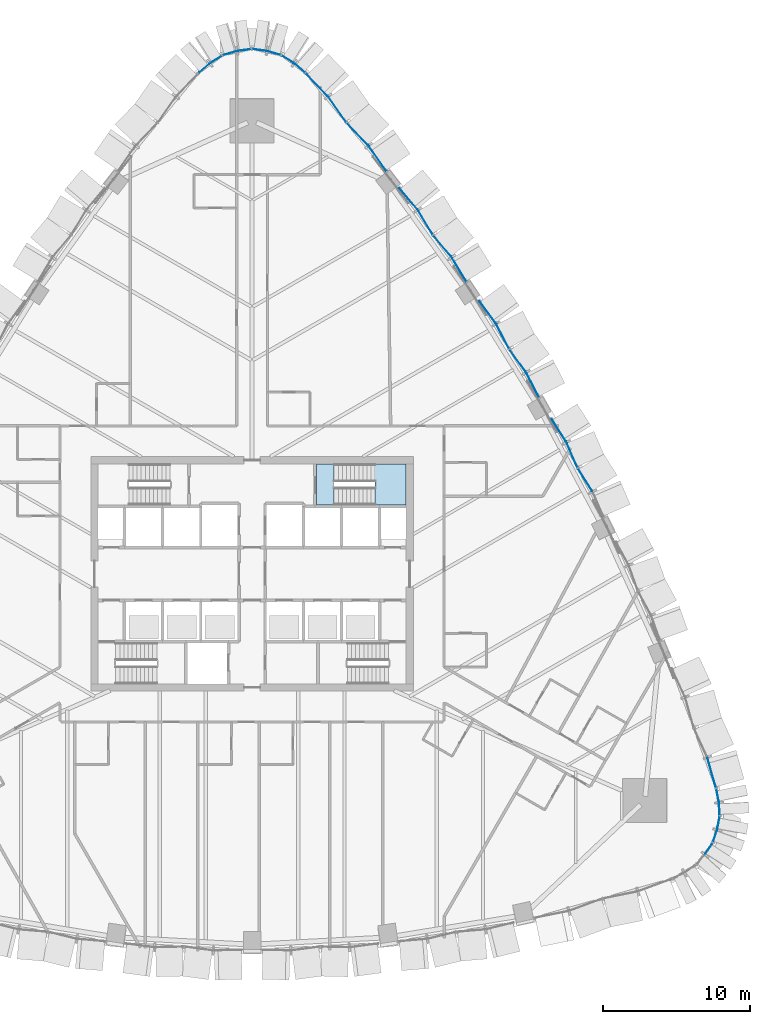
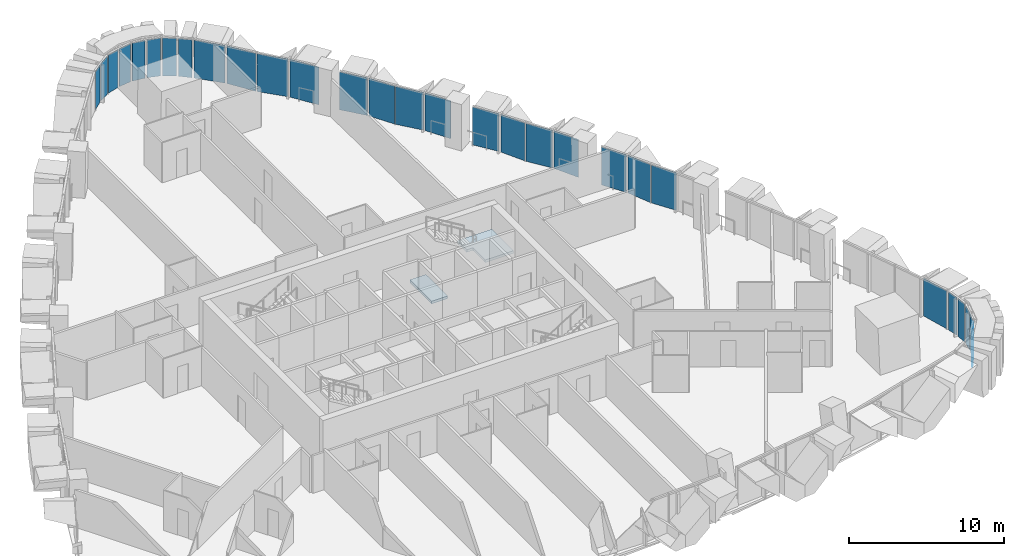
# One storey, part 12 of 22: 29 plates, 2 slabs, 13 elements without a shape of their own.
"""IFC4 building model written with IfcOpenShell, lengths in metres."""

from ifc_helpers import new_model, si_unit, direction, frame, origin, place, context, subcontext, project, spatial, polyline, outline, extrude, material, layer, layer_set, type_object, element, aggregate, save


model = new_model("IFC4")

# Units and contexts
model_context = context("Model", 3, precision=1e-05, world=origin(), true_north=direction((0.0, 1.0)))
body_context = subcontext(model_context, "Body", "Model", "MODEL_VIEW")
ifc_project = project(units=[si_unit("LENGTHUNIT", "METRE"), si_unit("AREAUNIT", "SQUARE_METRE"), si_unit("VOLUMEUNIT", "CUBIC_METRE"), si_unit("PLANEANGLEUNIT", "RADIAN"), si_unit("MASSUNIT", "GRAM", prefix="KILO")], contexts=[model_context])

# Site, building, storey
site_placement = place(None, origin())
site = spatial("IfcSite", under=ifc_project, at=site_placement, CompositionType="ELEMENT")
building_placement = place(site_placement, origin())
building = spatial("IfcBuilding", under=site, at=building_placement, Name="Sierra Prisma Convention Tower", CompositionType="ELEMENT")
storey_placement = place(building_placement, frame((0.0, 0.0, 62.800048828125)))
storey = spatial("IfcBuildingStorey", under=building, at=storey_placement, Name="L11", CompositionType="ELEMENT", Elevation=62.800048828125)

# Curtain wall, plate
ifc_material_1 = material(Name="Aluminium and glass curtain wall", Category="aluminium")
ifc_layer_1 = layer(ifc_material_1, 0.179931640625)
ifc_layer_set_1 = layer_set([ifc_layer_1], Name="CW-2 Faceted crystal curtain wall")
curtain_wall_type = type_object("IfcCurtainWallType", Name="CW-2 Faceted crystal curtain wall", PredefinedType="NOTDEFINED", material=ifc_layer_set_1)
curtain_wall_1_placement = place(storey_placement, origin())
curtain_wall_1 = element("IfcCurtainWall", 1, at=curtain_wall_1_placement, inside=storey, type_object=curtain_wall_type, Name="CW-2 SE2 L11", PredefinedType="NOTDEFINED")
ifc_material_2 = material(Name="Tinted glass bronze-grey IGU", Category="glass")
ifc_layer_2 = layer(ifc_material_2, 0.028076171875)
ifc_layer_set_2 = layer_set([ifc_layer_2], Name="CW-2 crystal pane")
plate_type = type_object("IfcPlateType", Name="CW-2 crystal pane", PredefinedType="CURTAIN_PANEL", material=ifc_layer_set_2)
plate_1_placement = place(storey_placement, frame((31.381103515625, -18.41064453125, 0.0), z_axis=(0.84032757378, -0.542078932209, 0.0), x_axis=(-0.542078932209, -0.84032757378, 0.0)))
plate_1 = element("IfcPlate", 2, at=plate_1_placement, type_object=plate_type, Name="CW-2 pane SE2.1.2", PredefinedType="CURTAIN_PANEL", context=body_context, shape_type="SweptSolid", body=[
    extrude(outline(polyline([(0.0, 0.0), (0.8120321981172384, 0.0), (0.8120321981172384, -2.97998046875), (0.0, -2.97998046875), (0.0, 0.0)])), origin(), (0.0, 0.0, -1.0), 0.028076171875),
])
aggregate(curtain_wall_1, [plate_1])

# Curtain wall, plates
curtain_wall_2_placement = place(storey_placement, origin())
curtain_wall_2 = element("IfcCurtainWall", 3, at=curtain_wall_2_placement, inside=storey, type_object=curtain_wall_type, Name="CW-2 SE3 L11", PredefinedType="NOTDEFINED")
plate_2_placement = place(storey_placement, frame((31.441650390625, -18.287353515625, 0.0), z_axis=(0.94233906382, -0.334659661146, 0.0), x_axis=(0.334659661146, 0.94233906382, 0.0)))
plate_2 = element("IfcPlate", 4, at=plate_2_placement, type_object=plate_type, Name="CW-2 pane SE3.1.1", PredefinedType="CURTAIN_PANEL", context=body_context, shape_type="SweptSolid", body=[
    extrude(outline(polyline([(0.0, 0.0), (0.8119547922041489, 0.0), (0.8119547922041489, 2.9799804687500004), (0.0, 2.9799804687500004), (0.0, 0.0)])), origin(), (0.0, 0.0, -1.0), 0.028076171875),
])
plate_3_placement = place(storey_placement, frame((31.89599609375, -16.5986328125, 0.0), z_axis=(0.983041932718, -0.183380910996, 0.0), x_axis=(-0.183380910996, -0.983041932718, 0.0)))
plate_3 = element("IfcPlate", 5, at=plate_3_placement, type_object=plate_type, Name="CW-2 pane SE3.1.2", PredefinedType="CURTAIN_PANEL", context=body_context, shape_type="SweptSolid", body=[
    extrude(outline(polyline([(0.0, 0.0), (0.8121116884023387, 0.0), (0.8121116884023387, -2.9799804687500004), (0.0, -2.9799804687500004), (0.0, 0.0)])), origin(), (0.0, 0.0, -1.0), 0.028076171875),
])
aggregate(curtain_wall_2, [plate_2, plate_3])

curtain_wall_3_placement = place(storey_placement, origin())
curtain_wall_3 = element("IfcCurtainWall", 6, at=curtain_wall_3_placement, inside=storey, type_object=curtain_wall_type, Name="CW-2 SE4 L11", PredefinedType="NOTDEFINED")
plate_4_placement = place(storey_placement, frame((31.9052734375, -16.461669921875, 0.0), z_axis=(0.998899876626, 0.04689388527, 0.0), x_axis=(-0.04689388527, 0.998899876626, 0.0)))
plate_4 = element("IfcPlate", 7, at=plate_4_placement, type_object=plate_type, Name="CW-2 pane SE4.1.1", PredefinedType="CURTAIN_PANEL", context=body_context, shape_type="SweptSolid", body=[
    extrude(outline(polyline([(0.0, 0.0), (0.8121727871415345, 0.0), (0.8121727871415345, 2.9799804687500004), (0.0, 2.9799804687500004), (0.0, 0.0)])), origin(), (0.0, 0.0, -1.0), 0.028076171875),
])
plate_5_placement = place(storey_placement, frame((31.686279296875, -14.726806640625, 0.0), z_axis=(0.97925219081, 0.202645372001, 0.0), x_axis=(0.202645372001, -0.97925219081, 0.0)))
plate_5 = element("IfcPlate", 8, at=plate_5_placement, type_object=plate_type, Name="CW-2 pane SE4.1.2", PredefinedType="CURTAIN_PANEL", context=body_context, shape_type="SweptSolid", body=[
    extrude(outline(polyline([(0.0, 0.0), (0.8120135171380605, 0.0), (0.8120135171380605, -2.97998046875), (0.0, -2.97998046875), (0.0, 0.0)])), origin(), (0.0, 0.0, -1.0), 0.028076171875),
])
aggregate(curtain_wall_3, [plate_4, plate_5])

# Curtain wall, plate
curtain_wall_4_placement = place(storey_placement, origin())
curtain_wall_4 = element("IfcCurtainWall", 9, at=curtain_wall_4_placement, inside=storey, type_object=curtain_wall_type, Name="CW-2 NE1 L11", PredefinedType="NOTDEFINED")
plate_6_placement = place(storey_placement, frame((31.6533203125, -14.591552734375, 0.0), z_axis=(0.962474596826, 0.27137179379, 0.0), x_axis=(-0.27137179379, 0.962474596826, 0.0)))
plate_6 = element("IfcPlate", 10, at=plate_6_placement, type_object=plate_type, Name="CW-2 pane NE1.1.1", PredefinedType="CURTAIN_PANEL", context=body_context, shape_type="SweptSolid", body=[
    extrude(outline(polyline([(0.0, 0.0), (2.099791620905943, 0.0), (2.099791620905943, 2.97998046875), (0.0, 2.97998046875), (0.0, 0.0)])), origin(), (0.0, 0.0, -1.0), 0.028076171875),
])
aggregate(curtain_wall_4, [plate_6])

# Curtain wall, plates
curtain_wall_5_placement = place(storey_placement, origin())
curtain_wall_5 = element("IfcCurtainWall", 11, at=curtain_wall_5_placement, inside=storey, type_object=curtain_wall_type, Name="CW-2 NE3 L11", PredefinedType="NOTDEFINED")
plate_7_placement = place(storey_placement, frame((22.23681640625, 7.200927734375, 0.0), z_axis=(0.844181887806, 0.536056844281, 0.0), x_axis=(0.536056844281, -0.844181887806, 0.0)))
plate_7 = element("IfcPlate", 12, at=plate_7_placement, type_object=plate_type, Name="CW-2 pane NE3.1.2", PredefinedType="CURTAIN_PANEL", context=body_context, shape_type="SweptSolid", body=[
    extrude(outline(polyline([(0.0, 0.0), (1.814464753835347, 0.0), (1.814464753835347, -2.97998046875), (0.0, -2.97998046875), (0.0, 0.0)])), origin(), (0.0, 0.0, -1.0), 0.028076171875),
])
plate_8_placement = place(storey_placement, frame((22.203857421875, 7.2626953125, 0.0), z_axis=(0.917648881737, 0.39739216128, 0.0), x_axis=(-0.39739216128, 0.917648881737, 0.0)))
plate_8 = element("IfcPlate", 13, at=plate_8_placement, type_object=plate_type, Name="CW-2 pane NE3.2.1", PredefinedType="CURTAIN_PANEL", context=body_context, shape_type="SweptSolid", body=[
    extrude(outline(polyline([(0.0, 0.0), (1.8141959904356948, 0.0), (1.8141959904356948, 2.97998046875), (0.0, 2.97998046875), (0.0, 0.0)])), origin(), (0.0, 0.0, -1.0), 0.028076171875),
])
plate_9_placement = place(storey_placement, frame((20.449462890625, 10.573486328125, 0.0), z_axis=(0.844143216645, 0.53611773874, 0.0), x_axis=(0.53611773874, -0.844143216645, 0.0)))
plate_9 = element("IfcPlate", 14, at=plate_9_placement, type_object=plate_type, Name="CW-2 pane NE3.2.2", PredefinedType="CURTAIN_PANEL", context=body_context, shape_type="SweptSolid", body=[
    extrude(outline(polyline([(0.0, 0.0), (1.8142586594619772, 0.0), (1.8142586594619772, -2.97998046875), (0.0, -2.97998046875), (0.0, 0.0)])), origin(), (0.0, 0.0, -1.0), 0.028076171875),
])
aggregate(curtain_wall_5, [plate_7, plate_8, plate_9])

curtain_wall_6_placement = place(storey_placement, origin())
curtain_wall_6 = element("IfcCurtainWall", 15, at=curtain_wall_6_placement, inside=storey, type_object=curtain_wall_type, Name="CW-2 NE4 L11", PredefinedType="NOTDEFINED")
plate_10_placement = place(storey_placement, frame((19.588134765625, 12.050537109375, 0.0), z_axis=(0.888916140091, 0.458069968329, 0.0), x_axis=(-0.458069968329, 0.888916140091, 0.0)))
plate_10 = element("IfcPlate", 16, at=plate_10_placement, type_object=plate_type, Name="CW-2 pane NE4.1.1", PredefinedType="CURTAIN_PANEL", context=body_context, shape_type="SweptSolid", body=[
    extrude(outline(polyline([(0.0, 0.0), (1.856357883439445, 0.0), (1.856357883439445, 2.9799804687500004), (0.0, 2.9799804687500004), (0.0, 0.0)])), origin(), (0.0, 0.0, -1.0), 0.028076171875),
])
plate_11_placement = place(storey_placement, frame((17.57177734375, 15.307861328125, 0.0), z_axis=(0.806392453231, 0.591380766826, 0.0), x_axis=(0.591380766826, -0.806392453231, 0.0)))
plate_11 = element("IfcPlate", 17, at=plate_11_placement, type_object=plate_type, Name="CW-2 pane NE4.1.2", PredefinedType="CURTAIN_PANEL", context=body_context, shape_type="SweptSolid", body=[
    extrude(outline(polyline([(0.0, 0.0), (1.8565033768629067, 0.0), (1.8565033768629067, -2.9799804687499996), (0.0, -2.9799804687499996), (0.0, 0.0)])), origin(), (0.0, 0.0, -1.0), 0.028076171875),
])
plate_12_placement = place(storey_placement, frame((17.534912109375, 15.3671875, 0.0), z_axis=(0.888997268698, 0.457912498462, 0.0), x_axis=(-0.457912498462, 0.888997268698, 0.0)))
plate_12 = element("IfcPlate", 18, at=plate_12_placement, type_object=plate_type, Name="CW-2 pane NE4.2.1", PredefinedType="CURTAIN_PANEL", context=body_context, shape_type="SweptSolid", body=[
    extrude(outline(polyline([(0.0, 0.0), (1.8564630996197133, 0.0), (1.8564630996197133, 2.97998046875), (0.0, 2.97998046875), (0.0, 0.0)])), origin(), (0.0, 0.0, -1.0), 0.028076171875),
])
plate_13_placement = place(storey_placement, frame((15.518798828125, 18.62451171875, 0.0), z_axis=(0.806346454295, 0.591443484744, 0.0), x_axis=(0.591443484744, -0.806346454295, 0.0)))
plate_13 = element("IfcPlate", 19, at=plate_13_placement, type_object=plate_type, Name="CW-2 pane NE4.2.2", PredefinedType="CURTAIN_PANEL", context=body_context, shape_type="SweptSolid", body=[
    extrude(outline(polyline([(0.0, 0.0), (1.8563065093201863, 0.0), (1.8563065093201863, -2.97998046875), (0.0, -2.97998046875), (0.0, 0.0)])), origin(), (0.0, 0.0, -1.0), 0.028076171875),
])
aggregate(curtain_wall_6, [plate_10, plate_11, plate_12, plate_13])

curtain_wall_7_placement = place(storey_placement, origin())
curtain_wall_7 = element("IfcCurtainWall", 20, at=curtain_wall_7_placement, inside=storey, type_object=curtain_wall_type, Name="CW-2 NE5 L11", PredefinedType="NOTDEFINED")
plate_14_placement = place(storey_placement, frame((14.638671875, 19.931396484375, 0.0), z_axis=(0.856316699111, 0.51645107302, 0.0), x_axis=(-0.51645107302, 0.856316699111, 0.0)))
plate_14 = element("IfcPlate", 21, at=plate_14_placement, type_object=plate_type, Name="CW-2 pane NE5.1.1", PredefinedType="CURTAIN_PANEL", context=body_context, shape_type="SweptSolid", body=[
    extrude(outline(polyline([(0.0, 0.0), (1.889964547934885, 0.0), (1.889964547934885, 2.97998046875), (0.0, 2.97998046875), (0.0, 0.0)])), origin(), (0.0, 0.0, -1.0), 0.028076171875),
])
plate_15_placement = place(storey_placement, frame((12.369873046875, 23.10107421875, 0.0), z_axis=(0.764971490164, 0.644064142175, 0.0), x_axis=(0.644064142175, -0.764971490164, 0.0)))
plate_15 = element("IfcPlate", 22, at=plate_15_placement, type_object=plate_type, Name="CW-2 pane NE5.1.2", PredefinedType="CURTAIN_PANEL", context=body_context, shape_type="SweptSolid", body=[
    extrude(outline(polyline([(0.0, 0.0), (1.89000609805622, 0.0), (1.89000609805622, -2.9799804687500004), (0.0, -2.9799804687500004), (0.0, 0.0)])), origin(), (0.0, 0.0, -1.0), 0.028076171875),
])
plate_16_placement = place(storey_placement, frame((12.3291015625, 23.157958984375, 0.0), z_axis=(0.856316699111, 0.51645107302, 0.0), x_axis=(-0.51645107302, 0.856316699111, 0.0)))
plate_16 = element("IfcPlate", 23, at=plate_16_placement, type_object=plate_type, Name="CW-2 pane NE5.2.1", PredefinedType="CURTAIN_PANEL", context=body_context, shape_type="SweptSolid", body=[
    extrude(outline(polyline([(0.0, 0.0), (1.889964547934885, 0.0), (1.889964547934885, 2.97998046875), (0.0, 2.97998046875), (0.0, 0.0)])), origin(), (0.0, 0.0, -1.0), 0.028076171875),
])
plate_17_placement = place(storey_placement, frame((10.060302734375, 26.32763671875, 0.0), z_axis=(0.764971490164, 0.644064142175, 0.0), x_axis=(0.644064142175, -0.764971490164, 0.0)))
plate_17 = element("IfcPlate", 24, at=plate_17_placement, type_object=plate_type, Name="CW-2 pane NE5.2.2", PredefinedType="CURTAIN_PANEL", context=body_context, shape_type="SweptSolid", body=[
    extrude(outline(polyline([(0.0, 0.0), (1.89000609805622, 0.0), (1.89000609805622, -2.9799804687500004), (0.0, -2.9799804687500004), (0.0, 0.0)])), origin(), (0.0, 0.0, -1.0), 0.028076171875),
])
aggregate(curtain_wall_7, [plate_14, plate_15, plate_16, plate_17])

curtain_wall_8_placement = place(storey_placement, origin())
curtain_wall_8 = element("IfcCurtainWall", 25, at=curtain_wall_8_placement, inside=storey, type_object=curtain_wall_type, Name="CW-2 NE6 L11", PredefinedType="NOTDEFINED")
plate_18_placement = place(storey_placement, frame((9.177734375, 27.4716796875, 0.0), z_axis=(0.819806845654, 0.572640145133, 0.0), x_axis=(-0.572640145133, 0.819806845654, 0.0)))
plate_18 = element("IfcPlate", 26, at=plate_18_placement, type_object=plate_type, Name="CW-2 pane NE6.1.1", PredefinedType="CURTAIN_PANEL", context=body_context, shape_type="SweptSolid", body=[
    extrude(outline(polyline([(0.0, 0.0), (2.0733018274484203, 0.0), (2.0733018274484203, 2.97998046875), (0.0, 2.97998046875), (0.0, 0.0)])), origin(), (0.0, 0.0, -1.0), 0.028076171875),
])
plate_19_placement = place(storey_placement, frame((6.4697265625, 30.7646484375, 0.0), z_axis=(0.720172022135, 0.693795545196, 0.0), x_axis=(0.693795545196, -0.720172022135, 0.0)))
plate_19 = element("IfcPlate", 27, at=plate_19_placement, type_object=plate_type, Name="CW-2 pane NE6.1.2", PredefinedType="CURTAIN_PANEL", context=body_context, shape_type="SweptSolid", body=[
    extrude(outline(polyline([(0.0, 0.0), (2.0733436132014686, 0.0), (2.0733436132014686, -2.97998046875), (0.0, -2.97998046875), (0.0, 0.0)])), origin(), (0.0, 0.0, -1.0), 0.028076171875),
])
plate_20_placement = place(storey_placement, frame((6.42529296875, 30.818603515625, 0.0), z_axis=(0.81986212592, 0.572560996298, 0.0), x_axis=(-0.572560996298, 0.81986212592, 0.0)))
plate_20 = element("IfcPlate", 28, at=plate_20_placement, type_object=plate_type, Name="CW-2 pane NE6.2.1", PredefinedType="CURTAIN_PANEL", context=body_context, shape_type="SweptSolid", body=[
    extrude(outline(polyline([(0.0, 0.0), (2.0731620323868847, 0.0), (2.0731620323868847, 2.97998046875), (0.0, 2.97998046875), (0.0, 0.0)])), origin(), (0.0, 0.0, -1.0), 0.028076171875),
])
plate_21_placement = place(storey_placement, frame((3.717529296875, 34.111572265625, 0.0), z_axis=(0.720172022135, 0.693795545196, 0.0), x_axis=(0.693795545196, -0.720172022135, 0.0)))
plate_21 = element("IfcPlate", 29, at=plate_21_placement, type_object=plate_type, Name="CW-2 pane NE6.2.2", PredefinedType="CURTAIN_PANEL", context=body_context, shape_type="SweptSolid", body=[
    extrude(outline(polyline([(0.0, 0.0), (2.0733436132014686, 0.0), (2.0733436132014686, -2.97998046875), (0.0, -2.97998046875), (0.0, 0.0)])), origin(), (0.0, 0.0, -1.0), 0.028076171875),
])
aggregate(curtain_wall_8, [plate_18, plate_19, plate_20, plate_21])

curtain_wall_9_placement = place(storey_placement, origin())
curtain_wall_9 = element("IfcCurtainWall", 30, at=curtain_wall_9_placement, inside=storey, type_object=curtain_wall_type, Name="CW-2 N1 L11", PredefinedType="NOTDEFINED")
plate_22_placement = place(storey_placement, frame((3.61669921875, 34.207275390625, 0.0), z_axis=(0.655943324801, 0.754810144771, 0.0), x_axis=(-0.754810144771, 0.655943324801, 0.0)))
plate_22 = element("IfcPlate", 31, at=plate_22_placement, type_object=plate_type, Name="CW-2 pane N1.1.1", PredefinedType="CURTAIN_PANEL", context=body_context, shape_type="SweptSolid", body=[
    extrude(outline(polyline([(0.0, 0.0), (0.8988575492462503, 0.0), (0.8988575492462503, 2.9799804687500004), (0.0, 2.9799804687500004), (0.0, 0.0)])), origin(), (0.0, 0.0, -1.0), 0.028076171875),
])
plate_23_placement = place(storey_placement, frame((2.07177734375, 35.35009765625, 0.0), z_axis=(0.529754721095, 0.848150891928, 0.0), x_axis=(0.848150891928, -0.529754721095, 0.0)))
plate_23 = element("IfcPlate", 32, at=plate_23_placement, type_object=plate_type, Name="CW-2 pane N1.1.2", PredefinedType="CURTAIN_PANEL", context=body_context, shape_type="SweptSolid", body=[
    extrude(outline(polyline([(0.0, 0.0), (0.8986691383625909, 0.0), (0.8986691383625909, -2.9799804687500004), (0.0, -2.9799804687500004), (0.0, 0.0)])), origin(), (0.0, 0.0, -1.0), 0.028076171875),
])
aggregate(curtain_wall_9, [plate_22, plate_23])

curtain_wall_10_placement = place(storey_placement, origin())
curtain_wall_10 = element("IfcCurtainWall", 33, at=curtain_wall_10_placement, inside=storey, type_object=curtain_wall_type, Name="CW-2 N2 L11", PredefinedType="NOTDEFINED")
plate_24_placement = place(storey_placement, frame((1.947021484375, 35.406494140625, 0.0), z_axis=(0.286575251314, 0.958057735909, 0.0), x_axis=(-0.958057735909, 0.286575251314, 0.0)))
plate_24 = element("IfcPlate", 34, at=plate_24_placement, type_object=plate_type, Name="CW-2 pane N2.1.1", PredefinedType="CURTAIN_PANEL", context=body_context, shape_type="SweptSolid", body=[
    extrude(outline(polyline([(0.0, 0.0), (0.8987808898158963, 0.0), (0.8987808898158963, 2.97998046875), (0.0, 2.97998046875), (0.0, 0.0)])), origin(), (0.0, 0.0, -1.0), 0.028076171875),
])
plate_25_placement = place(storey_placement, frame((0.068359375, 35.811279296875, 0.0), z_axis=(0.133355580695, 0.991068256528, 0.0), x_axis=(0.991068256528, -0.133355580695, 0.0)))
plate_25 = element("IfcPlate", 35, at=plate_25_placement, type_object=plate_type, Name="CW-2 pane N2.1.2", PredefinedType="CURTAIN_PANEL", context=body_context, shape_type="SweptSolid", body=[
    extrude(outline(polyline([(0.0, 0.0), (0.8988978657695335, 0.0), (0.8988978657695335, -2.97998046875), (0.0, -2.97998046875), (0.0, 0.0)])), origin(), (0.0, 0.0, -1.0), 0.028076171875),
])
aggregate(curtain_wall_10, [plate_24, plate_25])

curtain_wall_11_placement = place(storey_placement, origin())
curtain_wall_11 = element("IfcCurtainWall", 36, at=curtain_wall_11_placement, inside=storey, type_object=curtain_wall_type, Name="CW-2 N3 L11", PredefinedType="NOTDEFINED")
plate_26_placement = place(storey_placement, frame((-0.068359375, 35.811279296875, 0.0), z_axis=(-0.133355580695, 0.991068256528, 0.0), x_axis=(-0.991068256528, -0.133355580695, 0.0)))
plate_26 = element("IfcPlate", 37, at=plate_26_placement, type_object=plate_type, Name="CW-2 pane N3.1.1", PredefinedType="CURTAIN_PANEL", context=body_context, shape_type="SweptSolid", body=[
    extrude(outline(polyline([(0.0, 0.0), (0.8988978657695335, 0.0), (0.8988978657695335, 2.97998046875), (0.0, 2.97998046875), (0.0, 0.0)])), origin(), (0.0, 0.0, -1.0), 0.028076171875),
])
plate_27_placement = place(storey_placement, frame((-1.947021484375, 35.406494140625, 0.0), z_axis=(-0.286575251314, 0.958057735909, 0.0), x_axis=(0.958057735909, 0.286575251314, 0.0)))
plate_27 = element("IfcPlate", 38, at=plate_27_placement, type_object=plate_type, Name="CW-2 pane N3.1.2", PredefinedType="CURTAIN_PANEL", context=body_context, shape_type="SweptSolid", body=[
    extrude(outline(polyline([(0.0, 0.0), (0.8987808898158963, 0.0), (0.8987808898158963, -2.97998046875), (0.0, -2.97998046875), (0.0, 0.0)])), origin(), (0.0, 0.0, -1.0), 0.028076171875),
])
aggregate(curtain_wall_11, [plate_26, plate_27])

curtain_wall_12_placement = place(storey_placement, origin())
curtain_wall_12 = element("IfcCurtainWall", 39, at=curtain_wall_12_placement, inside=storey, type_object=curtain_wall_type, Name="CW-2 N4 L11", PredefinedType="NOTDEFINED")
plate_28_placement = place(storey_placement, frame((-2.07177734375, 35.35009765625, 0.0), z_axis=(-0.529754721095, 0.848150891928, 0.0), x_axis=(-0.848150891928, -0.529754721095, 0.0)))
plate_28 = element("IfcPlate", 40, at=plate_28_placement, type_object=plate_type, Name="CW-2 pane N4.1.1", PredefinedType="CURTAIN_PANEL", context=body_context, shape_type="SweptSolid", body=[
    extrude(outline(polyline([(0.0, 0.0), (0.8986691383625909, 0.0), (0.8986691383625909, 2.9799804687500004), (0.0, 2.9799804687500004), (0.0, 0.0)])), origin(), (0.0, 0.0, -1.0), 0.028076171875),
])
plate_29_placement = place(storey_placement, frame((-3.61669921875, 34.207275390625, 0.0), z_axis=(-0.655943324801, 0.754810144771, 0.0), x_axis=(0.754810144771, 0.655943324801, 0.0)))
plate_29 = element("IfcPlate", 41, at=plate_29_placement, type_object=plate_type, Name="CW-2 pane N4.1.2", PredefinedType="CURTAIN_PANEL", context=body_context, shape_type="SweptSolid", body=[
    extrude(outline(polyline([(0.0, 0.0), (0.8988575492462503, 0.0), (0.8988575492462503, -2.9799804687500004), (0.0, -2.9799804687500004), (0.0, 0.0)])), origin(), (0.0, 0.0, -1.0), 0.028076171875),
])
aggregate(curtain_wall_12, [plate_28, plate_29])

# Stair, slab
ifc_material_3 = material(Name="Concrete C30/37", Category="concrete")
stair_type = type_object("IfcStairType", Name="Stair dog-leg 1200 RC", PredefinedType="HALF_TURN_STAIR", material=ifc_material_3)
stair_placement = place(storey_placement, origin())
stair = element("IfcStair", 42, at=stair_placement, inside=storey, type_object=stair_type, Name="L11 S4", PredefinedType="HALF_TURN_STAIR")
ifc_material_4 = material(Name="Concrete C35/45", Category="concrete")
ifc_layer_3 = layer(ifc_material_4, 0.199951171875)
ifc_layer_set_3 = layer_set([ifc_layer_3], Name="Stair landing slab")
slab_type = type_object("IfcSlabType", Name="Stair landing slab", PredefinedType="LANDING", material=ifc_layer_set_3)
slab_1_placement = place(storey_placement, frame((0.0, 0.0, 1.64990234375)))
slab_1 = element("IfcSlab", 43, at=slab_1_placement, type_object=slab_type, Name="S4 landing 1", PredefinedType="LANDING", context=body_context, shape_type="SweptSolid", body=[
    extrude(outline(polyline([(10.5, 7.5), (10.5, 4.699951171875), (8.39794921875, 4.699951171875), (8.39794921875, 6.300048828125), (7.949951171875, 6.300048828125), (7.949951171875, 7.5), (10.5, 7.5)])), origin(), (0.0, 0.0, 1.0), 0.199951171875),
])
aggregate(stair, [slab_1])

# Slab
slab_2_placement = place(storey_placement, frame((0.0, 0.0, -0.199951171875)))
element("IfcSlab", 44, at=slab_2_placement, inside=storey, type_object=slab_type, Name="S4 floor landing L11", PredefinedType="LANDING", context=body_context, shape_type="SweptSolid", body=[
    extrude(outline(polyline([(4.39990234375, 4.699951171875), (5.60205078125, 4.699951171875), (5.60205078125, 7.5), (4.39990234375, 7.5), (4.39990234375, 4.699951171875)])), origin(), (0.0, 0.0, 1.0), 0.199951171875),
])

save(model, "model.ifc")
